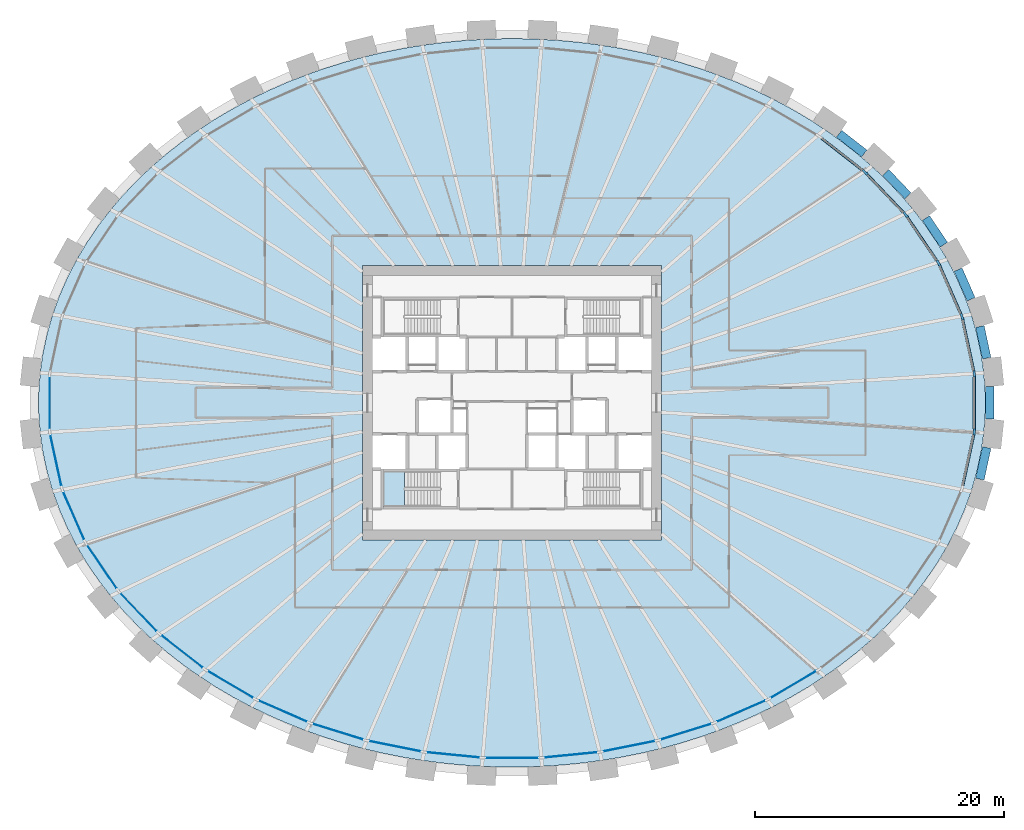
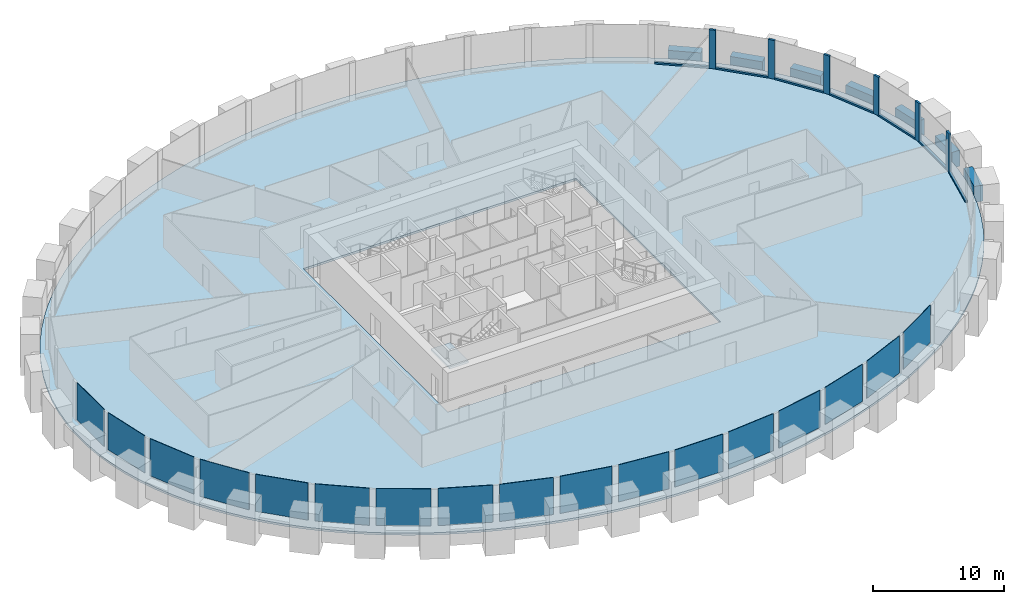
# One storey, part 4 of 11: 17 plates, 13 members, 7 beams, 2 slabs, 2 elements without a shape of their own.
"""IFC4 building model written with IfcOpenShell, lengths in metres."""

import ifcopenshell
import ifcopenshell.guid

model = None  # the IFC model being written
_history = None  # IfcOwnerHistory: only IFC2X3 demands one
_inside = {}  # id of a spatial element -> (the spatial element, [elements in it])
_under = {}  # id of a project, library or spatial element -> (it, [spatial elements below it])
_declared = {}  # id of a project -> (the project, [libraries it declares])
_typed = {}  # id of a type object -> (the type object, [elements of that type])
_made_of = {}  # id of a material, layer set ... -> (it, [elements and type objects made of it])


def new_model(schema):
    """Start an empty IFC model of exactly this schema.

    Asked for "IFC4X3", IfcOpenShell would pick the latest addendum, in which some entities
    have other attributes; the version numbers below select the first issue.
    IFC2X3 requires an IfcOwnerHistory on every rooted entity: one is made here for all.
    """
    global model, _history
    if schema == "IFC4X3":
        model = ifcopenshell.file(schema_version=(4, 3, 0, 0))
    else:
        model = ifcopenshell.file(schema=schema)
    _inside.clear()
    _under.clear()
    _declared.clear()
    _typed.clear()
    _made_of.clear()
    _history = None
    if model.schema == "IFC2X3":
        org = make("IfcOrganization", Name="unknown")
        user = make(
            "IfcPersonAndOrganization",
            ThePerson=make("IfcPerson", FamilyName="unknown"),
            TheOrganization=org,
        )
        app = make(
            "IfcApplication",
            ApplicationDeveloper=org,
            Version="unknown",
            ApplicationFullName="unknown",
            ApplicationIdentifier="unknown",
        )
        _history = make(
            "IfcOwnerHistory",
            OwningUser=user,
            OwningApplication=app,
            ChangeAction="ADDED",
            CreationDate=0,
        )
    return model


def make(cls, **values):
    """One entity of the class cls with the attributes given. An attribute that is None is left unset."""
    return model.create_entity(
        cls, **{name: value for name, value in values.items() if value is not None}
    )


def rooted(cls, **values):
    """An entity with a GlobalId (a new one), such as an element, a storey or a relation."""
    return make(cls, GlobalId=ifcopenshell.guid.new(), OwnerHistory=_history, **values)


def si_unit(unit_type, name, prefix=None):
    """IfcSIUnit, for example si_unit("LENGTHUNIT", "METRE", prefix="MILLI")."""
    return make("IfcSIUnit", UnitType=unit_type, Prefix=prefix, Name=name)


def assignment(units):
    """IfcUnitAssignment: the units of a project."""
    return None if units is None else make("IfcUnitAssignment", Units=units)


def point(xyz):
    """IfcCartesianPoint."""
    return None if xyz is None else make("IfcCartesianPoint", Coordinates=xyz)


def direction(xyz):
    """IfcDirection."""
    return None if xyz is None else make("IfcDirection", DirectionRatios=xyz)


def frame(location, z_axis=None, x_axis=None):
    """IfcAxis2Placement3D, a coordinate frame: its origin and axes. An axis left out is left unset."""
    return make(
        "IfcAxis2Placement3D",
        Location=point(location),
        Axis=direction(z_axis),
        RefDirection=direction(x_axis),
    )


def frame_2d(location, x_axis=None):
    """IfcAxis2Placement2D, a coordinate frame in the plane: its origin and x axis."""
    return make(
        "IfcAxis2Placement2D", Location=point(location), RefDirection=direction(x_axis)
    )


def origin():
    """The frame at (0, 0, 0) with its axes left unset."""
    return frame((0.0, 0.0, 0.0))


def origin_2d():
    """The frame at (0, 0) in the plane with its x axis left unset."""
    return frame_2d((0.0, 0.0))


def place(relative_to, where):
    """IfcLocalPlacement: puts the frame where relative to a parent placement (None: the world)."""
    return make(
        "IfcLocalPlacement", PlacementRelTo=relative_to, RelativePlacement=where
    )


def context(
    kind, dimensions, precision=None, world=None, true_north=None, identifier=None
):
    """IfcGeometricRepresentationContext, for example the 3D "Model" context."""
    return make(
        "IfcGeometricRepresentationContext",
        ContextIdentifier=identifier,
        ContextType=kind,
        CoordinateSpaceDimension=dimensions,
        Precision=precision,
        WorldCoordinateSystem=world,
        TrueNorth=true_north,
    )


def subcontext(parent, identifier, kind, view, scale=None):
    """IfcGeometricRepresentationSubContext, for example "Body" below "Model"."""
    return make(
        "IfcGeometricRepresentationSubContext",
        ContextIdentifier=identifier,
        ContextType=kind,
        ParentContext=parent,
        TargetScale=scale,
        TargetView=view,
    )


def project(units=None, contexts=None):
    """IfcProject with its units and contexts."""
    return rooted(
        "IfcProject",
        Name="project",
        RepresentationContexts=contexts,
        UnitsInContext=assignment(units),
    )


def spatial(cls, under=None, at=None, **own):
    """A site, building, storey or space (cls), placed at a placement, below another one or the project."""
    s = rooted(cls, ObjectPlacement=at, **own)
    if under is not None:
        _under.setdefault(under.id(), (under, []))[1].append(s)
    return s


def polyline(points):
    """IfcPolyline through the points."""
    return make("IfcPolyline", Points=[point(p) for p in points])


def profile(cls, at=None, kind="AREA", **sizes):
    """A parametric profile (cls). Its sizes go by their IFC names, for example OverallWidth=200.0."""
    return make(cls, ProfileType=kind, Position=at, **sizes)


def rectangle(**sizes):
    """IfcRectangleProfileDef."""
    return profile("IfcRectangleProfileDef", **sizes)


def outline(outer, holes=None, kind="AREA"):
    """IfcArbitraryClosedProfileDef: a profile drawn as a closed curve; with holes, ...WithVoids."""
    if holes is None:
        return make("IfcArbitraryClosedProfileDef", ProfileType=kind, OuterCurve=outer)
    return make(
        "IfcArbitraryProfileDefWithVoids",
        ProfileType=kind,
        OuterCurve=outer,
        InnerCurves=holes,
    )


def extrude(swept, where, along, depth):
    """IfcExtrudedAreaSolid: the profile swept, set in the frame where, extruded along a direction by depth."""
    return make(
        "IfcExtrudedAreaSolid",
        SweptArea=swept,
        Position=where,
        ExtrudedDirection=direction(along),
        Depth=depth,
    )


def shape(context_of_items, identifier, shape_type, items):
    """IfcShapeRepresentation: the items that make up one representation, for example the "Body"."""
    return make(
        "IfcShapeRepresentation",
        ContextOfItems=context_of_items,
        RepresentationIdentifier=identifier,
        RepresentationType=shape_type,
        Items=items,
    )


def source(mapping_origin, context_of_items, identifier, shape_type, items):
    """IfcRepresentationMap: a shape defined once, which mapped items show again and again."""
    return make(
        "IfcRepresentationMap",
        MappingOrigin=mapping_origin,
        MappedRepresentation=shape(context_of_items, identifier, shape_type, items),
    )


def transform(
    local_origin,
    x_axis=None,
    y_axis=None,
    z_axis=None,
    scale=None,
    scale2=None,
    scale3=None,
    uniform=True,
):
    """IfcCartesianTransformationOperator3D, or its non-uniform kind. x_axis, y_axis, z_axis: its Axis1, 2, 3."""
    if uniform:
        return make(
            "IfcCartesianTransformationOperator3D",
            Axis1=direction(x_axis),
            Axis2=direction(y_axis),
            LocalOrigin=point(local_origin),
            Scale=scale,
            Axis3=direction(z_axis),
        )
    return make(
        "IfcCartesianTransformationOperator3DnonUniform",
        Axis1=direction(x_axis),
        Axis2=direction(y_axis),
        LocalOrigin=point(local_origin),
        Scale=scale,
        Axis3=direction(z_axis),
        Scale2=scale2,
        Scale3=scale3,
    )


def mapped(mapping_source, mapping_target):
    """IfcMappedItem: shows the shape of a source again, moved by a transform."""
    return make(
        "IfcMappedItem", MappingSource=mapping_source, MappingTarget=mapping_target
    )


def material(Name=None, Category=None):
    """IfcMaterial."""
    return make("IfcMaterial", Name=Name, Category=Category)


def layer(
    of_material, thickness, ventilated=None, Name=None, Category=None, Priority=None
):
    """IfcMaterialLayer: one layer of a wall or slab, of a material (None: an air gap)."""
    return make(
        "IfcMaterialLayer",
        Material=of_material,
        LayerThickness=thickness,
        IsVentilated=ventilated,
        Name=Name,
        Category=Category,
        Priority=Priority,
    )


def layer_set(layers, Name=None):
    """IfcMaterialLayerSet."""
    return make("IfcMaterialLayerSet", MaterialLayers=layers, LayerSetName=Name)


def material_profile(
    of_material, cross_section, Name=None, Category=None, Priority=None
):
    """IfcMaterialProfile: a cross section and its material."""
    return make(
        "IfcMaterialProfile",
        Name=Name,
        Material=of_material,
        Profile=cross_section,
        Priority=Priority,
        Category=Category,
    )


def profile_set(profiles, Name=None, composite=None):
    """IfcMaterialProfileSet."""
    return make(
        "IfcMaterialProfileSet",
        Name=Name,
        MaterialProfiles=profiles,
        CompositeProfile=composite,
    )


def made_of(thing, what):
    """Note that an element or type object is made of a material, layer set ...; save() writes the relation."""
    if what is not None:
        _made_of.setdefault(what.id(), (what, []))[1].append(thing)
    return thing


def type_object(cls, material=None, **own):
    """A type object (cls), such as IfcWallType, which elements share."""
    return made_of(rooted(cls, **own), material)


def element(
    cls,
    number,
    at=None,
    inside=None,
    cuts=None,
    type_object=None,
    material=None,
    context=None,
    identifier="Body",
    shape_type=None,
    held_by="IfcProductDefinitionShape",
    body=None,
    shapes=None,
    **own,
):
    """One element of the class cls, such as IfcWall. Its Tag is "e" and its number.

    at: its placement. inside: the storey or other place that contains it. cuts: it is an
    opening in that element (IfcRelVoidsElement). A single representation is given by context,
    identifier, shape_type and body (its items); several are given by shapes. held_by: the class
    of the entity that holds the representations. save() writes the other relations.
    """
    e = rooted(cls, Tag="e%d" % number, ObjectPlacement=at, **own)
    if body is not None:
        shapes = [shape(context, identifier, shape_type, body)]
    if shapes is not None:
        e.Representation = make(held_by, Representations=shapes)
    if inside is not None:
        _inside.setdefault(inside.id(), (inside, []))[1].append(e)
    if cuts is not None:
        rooted(
            "IfcRelVoidsElement", RelatingBuildingElement=cuts, RelatedOpeningElement=e
        )
    if type_object is not None:
        _typed.setdefault(type_object.id(), (type_object, []))[1].append(e)
    return made_of(e, material)


def aggregate(whole, parts):
    """IfcRelAggregates: a whole, such as a stair, and the parts it consists of."""
    return rooted("IfcRelAggregates", RelatingObject=whole, RelatedObjects=parts)


def save(model, path):
    """Write the relations noted so far, then the file.

    IfcRelAggregates (storeys below a building ...), IfcRelContainedInSpatialStructure (elements
    in a storey), IfcRelDefinesByType, IfcRelAssociatesMaterial and IfcRelDeclares: one each for
    every whole, place, type object, material and project.
    """
    for whole, parts in _under.values():
        aggregate(whole, parts)
    for where, things in _inside.values():
        rooted(
            "IfcRelContainedInSpatialStructure",
            RelatedElements=things,
            RelatingStructure=where,
        )
    for kind, things in _typed.values():
        rooted("IfcRelDefinesByType", RelatedObjects=things, RelatingType=kind)
    for what, things in _made_of.values():
        rooted("IfcRelAssociatesMaterial", RelatedObjects=things, RelatingMaterial=what)
    for by, libraries in _declared.values():
        rooted("IfcRelDeclares", RelatingContext=by, RelatedDefinitions=libraries)
    model.write(path)


model = new_model("IFC4")

# Units and contexts
model_context = context("Model", 3, precision=1e-05, world=origin(), true_north=direction((0.0, 1.0)))
body_context = subcontext(model_context, "Body", "Model", "MODEL_VIEW")
ifc_project = project(units=[si_unit("LENGTHUNIT", "METRE"), si_unit("AREAUNIT", "SQUARE_METRE"), si_unit("VOLUMEUNIT", "CUBIC_METRE"), si_unit("PLANEANGLEUNIT", "RADIAN"), si_unit("MASSUNIT", "GRAM", prefix="KILO")], contexts=[model_context])

# Site, building, storey
site_placement = place(None, origin())
site = spatial("IfcSite", under=ifc_project, at=site_placement, CompositionType="ELEMENT")
building_placement = place(site_placement, origin())
building = spatial("IfcBuilding", under=site, at=building_placement, Name="Embergate Tower", CompositionType="ELEMENT")
storey_placement = place(building_placement, frame((0.0, 0.0, 143.699951171875)))
storey = spatial("IfcBuildingStorey", under=building, at=storey_placement, Name="L31", CompositionType="ELEMENT", Elevation=143.699951171875)

# Beams
ifc_material_1 = material(Name="Concrete C70", Category="concrete")
ifc_material_profile_1 = material_profile(ifc_material_1, rectangle(XDim=0.699951171875, YDim=1.5, at=origin_2d()), Name="RC 700x1500")
ifc_profile_set_1 = profile_set([ifc_material_profile_1], Name="Concrete C70")
beam_type = type_object("IfcBeamType", Name="Spandrel beam RC 700x1500 C70", PredefinedType="BEAM", material=ifc_profile_set_1)
shared_shape_1 = source(origin(), body_context, "Body", "SweptSolid", [
    extrude(rectangle(XDim=0.699951171875, YDim=1.5, at=origin_2d()), origin(), (0.0, 0.0, 1.0), 2.59423828125),
])
for number, where, z_axis, x_axis, name in (
    (1, (38.06103515625, 3.583984375, 0.0), (-0.210518717987, 0.977589826756, 0.0), (-0.977589826756, -0.210518717987, 0.0), "SPN-L31-00"),
    (2, (37.514892578125, -6.1201171875, 0.0), (0.210518717987, 0.977589826756, 0.0), (-0.977589826756, 0.210518717987, 0.0), "SPN-L31-42"),
    (3, (38.303955078125, -1.297119140625, 0.0), (0.0, 1.0, 0.0), (-1.0, 0.0, 0.0), "SPN-L31-43"),
):
    element("IfcBeam", number, at=place(storey_placement, frame(where, z_axis=z_axis, x_axis=x_axis)), inside=storey, type_object=beam_type, Name=name, PredefinedType="BEAM", context=body_context, shape_type="MappedRepresentation", body=[
        mapped(shared_shape_1, transform((0.0, 0.0, 0.0))),
    ])
shared_shape_2 = source(origin(), body_context, "Body", "SweptSolid", [
    extrude(rectangle(XDim=0.699951171875, YDim=1.5, at=origin_2d()), origin(), (0.0, 0.0, 1.0), 2.5888671875),
])
beam_1_placement = place(storey_placement, frame((36.80810546875, 8.30810546875, 0.0), z_axis=(-0.401723931702, 0.915760821775, 0.0), x_axis=(-0.915760821775, -0.401723931702, 0.0)))
element("IfcBeam", 4, at=beam_1_placement, inside=storey, type_object=beam_type, Name="SPN-L31-01", PredefinedType="BEAM", context=body_context, shape_type="MappedRepresentation", body=[
    mapped(shared_shape_2, transform((0.0, 0.0, 0.0))),
])
shared_shape_3 = source(origin(), body_context, "Body", "SweptSolid", [
    extrude(rectangle(XDim=0.699951171875, YDim=1.5, at=origin_2d()), origin(), (0.0, 0.0, 1.0), 2.5791015625),
])
beam_2_placement = place(storey_placement, frame((34.636962890625, 12.680908203125, 0.0), z_axis=(-0.562170202136, 0.82702156189, 0.0), x_axis=(-0.82702156189, -0.562170202136, 0.0)))
element("IfcBeam", 5, at=beam_2_placement, inside=storey, type_object=beam_type, Name="SPN-L31-02", PredefinedType="BEAM", context=body_context, shape_type="MappedRepresentation", body=[
    mapped(shared_shape_3, transform((0.0, 0.0, 0.0))),
])
shared_shape_4 = source(origin(), body_context, "Body", "SweptSolid", [
    extrude(rectangle(XDim=0.699951171875, YDim=1.5, at=origin_2d()), origin(), (0.0, 0.0, 1.0), 2.574462890625),
])
beam_3_placement = place(storey_placement, frame((31.740966796875, 16.60302734375, 0.0), z_axis=(-0.690171205001, 0.72364612055, 0.0), x_axis=(-0.72364612055, -0.690171205001, 0.0)))
element("IfcBeam", 6, at=beam_3_placement, inside=storey, type_object=beam_type, Name="SPN-L31-03", PredefinedType="BEAM", context=body_context, shape_type="MappedRepresentation", body=[
    mapped(shared_shape_4, transform((0.0, 0.0, 0.0))),
])
shared_shape_5 = source(origin(), body_context, "Body", "SweptSolid", [
    extrude(rectangle(XDim=0.699951171875, YDim=1.5, at=origin_2d()), origin(), (0.0, 0.0, 1.0), 2.56689453125),
])
beam_4_placement = place(storey_placement, frame((28.24609375, 19.9951171875, 0.0), z_axis=(-0.788172869351, 0.615453920305, 0.0), x_axis=(-0.615453920305, -0.788172869351, 0.0)))
element("IfcBeam", 7, at=beam_4_placement, inside=storey, type_object=beam_type, Name="SPN-L31-04", PredefinedType="BEAM", context=body_context, shape_type="MappedRepresentation", body=[
    mapped(shared_shape_5, transform((0.0, 0.0, 0.0))),
])

# Curtain wall, members
ifc_material_2 = material(Name="Aluminium and glass", Category="aluminium")
curtain_wall_type = type_object("IfcCurtainWallType", Name="Recessed office glazing", PredefinedType="NOTDEFINED", material=ifc_material_2)
curtain_wall_placement = place(storey_placement, origin())
curtain_wall = element("IfcCurtainWall", 8, at=curtain_wall_placement, inside=storey, type_object=curtain_wall_type, Name="Recessed office glazing ring", ObjectType="RECESSED OFFICE GLAZING", PredefinedType="USERDEFINED")
ifc_material_3 = material(Name="Aluminium, thermally broken", Category="aluminium")
ifc_material_profile_2 = material_profile(ifc_material_3, rectangle(XDim=0.179931640625, YDim=0.52001953125, at=origin_2d()), Name="AL 520x180")
ifc_profile_set_2 = profile_set([ifc_material_profile_2], Name="Aluminium, thermally broken")
member_type_1 = type_object("IfcMemberType", Name="Office mullion", PredefinedType="MULLION", material=ifc_profile_set_2)
shared_shape_6 = source(origin(), body_context, "Body", "SweptSolid", [
    extrude(rectangle(XDim=0.179931640625, YDim=0.52001953125, at=origin_2d()), origin(), (0.0, 0.0, 1.0), 3.60009765625),
])
member_1_placement = place(storey_placement, frame((37.064697265625, 2.33740234375, 0.0), z_axis=(0.0, 0.0, 1.0), x_axis=(-0.994384770038, -0.105824992874, 0.0)))
member_1 = element("IfcMember", 9, at=member_1_placement, type_object=member_type_1, Name="CW mullion 1", PredefinedType="MULLION", context=body_context, shape_type="MappedRepresentation", body=[
    mapped(shared_shape_6, transform((0.0, 0.0, 0.0))),
])
member_2_placement = place(storey_placement, frame((36.08056640625, 6.910400390625, 0.0), z_axis=(0.0, 0.0, 1.0), x_axis=(-0.951496187099, -0.307660536853, 0.0)))
member_2 = element("IfcMember", 10, at=member_2_placement, type_object=member_type_1, Name="CW mullion 2", PredefinedType="MULLION", context=body_context, shape_type="MappedRepresentation", body=[
    mapped(shared_shape_6, transform((0.0, 0.0, 0.0))),
])
member_3_placement = place(storey_placement, frame((34.198974609375, 11.200439453125, 0.0), z_axis=(0.0, 0.0, 1.0), x_axis=(-0.874998516019, -0.484125600402, 0.0)))
member_3 = element("IfcMember", 11, at=member_3_placement, type_object=member_type_1, Name="CW mullion 3", PredefinedType="MULLION", context=body_context, shape_type="MappedRepresentation", body=[
    mapped(shared_shape_6, transform((0.0, 0.0, 0.0))),
])
member_4_placement = place(storey_placement, frame((31.5595703125, 15.08154296875, 0.0), z_axis=(0.0, 0.0, 1.0), x_axis=(-0.777867080309, -0.62842883875, 0.0)))
member_4 = element("IfcMember", 12, at=member_4_placement, type_object=member_type_1, Name="CW mullion 4", PredefinedType="MULLION", context=body_context, shape_type="MappedRepresentation", body=[
    mapped(shared_shape_6, transform((0.0, 0.0, 0.0))),
])
member_5_placement = place(storey_placement, frame((28.314453125, 18.484375, 0.0), z_axis=(0.0, 0.0, 1.0), x_axis=(-0.671220065284, -0.741258135847, 0.0)))
member_5 = element("IfcMember", 13, at=member_5_placement, type_object=member_type_1, Name="CW mullion 5", PredefinedType="MULLION", context=body_context, shape_type="MappedRepresentation", body=[
    mapped(shared_shape_6, transform((0.0, 0.0, 0.0))),
])
member_6_placement = place(storey_placement, frame((37.064697265625, -2.33740234375, 0.0), z_axis=(0.0, 0.0, 1.0), x_axis=(-0.994384770038, 0.105824992874, 0.0)))
member_6 = element("IfcMember", 14, at=member_6_placement, type_object=member_type_1, Name="CW mullion 44", PredefinedType="MULLION", context=body_context, shape_type="MappedRepresentation", body=[
    mapped(shared_shape_6, transform((0.0, 0.0, 0.0))),
])
ifc_material_profile_3 = material_profile(ifc_material_3, rectangle(XDim=0.179931640625, YDim=0.14990234375, at=origin_2d()), Name="AL 150x180")
ifc_profile_set_3 = profile_set([ifc_material_profile_3], Name="Aluminium, thermally broken")
member_type_2 = type_object("IfcMemberType", Name="Office sill transom", PredefinedType="USERDEFINED", material=ifc_profile_set_3)
shared_shape_7 = source(origin(), body_context, "Body", "SweptSolid", [
    extrude(rectangle(XDim=0.179931640625, YDim=0.14990234375, at=origin_2d()), origin(), (0.0, 0.0, 1.0), 4.157470703125),
])
member_7_placement = place(storey_placement, frame((37.010009765625, 2.591796875, 0.074951171875), z_axis=(-0.210403256342, 0.977614683667, 0.0), x_axis=(-0.977614683667, -0.210403256342, 0.0)))
member_7 = element("IfcMember", 15, at=member_7_placement, type_object=member_type_2, Name="CW transom 1.1", ObjectType="TRANSOM", PredefinedType="USERDEFINED", context=body_context, shape_type="MappedRepresentation", body=[
    mapped(shared_shape_7, transform((0.0, 0.0, 0.0))),
])
member_8_placement = place(storey_placement, frame((36.13525390625, -6.65625, 0.074951171875), z_axis=(0.210403256342, 0.977614683667, 0.0), x_axis=(-0.977614683667, 0.210403256342, 0.0)))
member_8 = element("IfcMember", 16, at=member_8_placement, type_object=member_type_2, Name="CW transom 43.1", ObjectType="TRANSOM", PredefinedType="USERDEFINED", context=body_context, shape_type="MappedRepresentation", body=[
    mapped(shared_shape_7, transform((0.0, 0.0, 0.0))),
])
shared_shape_8 = source(origin(), body_context, "Body", "SweptSolid", [
    extrude(rectangle(XDim=0.179931640625, YDim=0.14990234375, at=origin_2d()), origin(), (0.0, 0.0, 1.0), 4.16455078125),
])
member_9_placement = place(storey_placement, frame((35.97607421875, 7.1484375, 0.074951171875), z_axis=(-0.401624405354, 0.915804475324, 0.0), x_axis=(-0.915804475324, -0.401624405354, 0.0)))
member_9 = element("IfcMember", 17, at=member_9_placement, type_object=member_type_2, Name="CW transom 2.1", ObjectType="TRANSOM", PredefinedType="USERDEFINED", context=body_context, shape_type="MappedRepresentation", body=[
    mapped(shared_shape_8, transform((0.0, 0.0, 0.0))),
])
shared_shape_9 = source(origin(), body_context, "Body", "SweptSolid", [
    extrude(rectangle(XDim=0.179931640625, YDim=0.14990234375, at=origin_2d()), origin(), (0.0, 0.0, 1.0), 4.173583984375),
])
member_10_placement = place(storey_placement, frame((34.052734375, 11.41552734375, 0.074951171875), z_axis=(-0.562330821554, 0.826912357587, 0.0), x_axis=(-0.826912357587, -0.562330821554, 0.0)))
member_10 = element("IfcMember", 18, at=member_10_placement, type_object=member_type_2, Name="CW transom 3.1", ObjectType="TRANSOM", PredefinedType="USERDEFINED", context=body_context, shape_type="MappedRepresentation", body=[
    mapped(shared_shape_9, transform((0.0, 0.0, 0.0))),
])
shared_shape_10 = source(origin(), body_context, "Body", "SweptSolid", [
    extrude(rectangle(XDim=0.179931640625, YDim=0.14990234375, at=origin_2d()), origin(), (0.0, 0.0, 1.0), 4.18212890625),
])
member_11_placement = place(storey_placement, frame((31.380126953125, 15.269775390625, 0.074951171875), z_axis=(-0.69012439783, 0.723690759592, 0.0), x_axis=(-0.723690759592, -0.69012439783, 0.0)))
member_11 = element("IfcMember", 19, at=member_11_placement, type_object=member_type_2, Name="CW transom 4.1", ObjectType="TRANSOM", PredefinedType="USERDEFINED", context=body_context, shape_type="MappedRepresentation", body=[
    mapped(shared_shape_10, transform((0.0, 0.0, 0.0))),
])
shared_shape_11 = source(origin(), body_context, "Body", "SweptSolid", [
    extrude(rectangle(XDim=0.179931640625, YDim=0.14990234375, at=origin_2d()), origin(), (0.0, 0.0, 1.0), 4.189697265625),
])
member_12_placement = place(storey_placement, frame((28.109375, 18.644287109375, 0.074951171875), z_axis=(-0.788299928143, 0.61529116952, 0.0), x_axis=(-0.61529116952, -0.788299928143, 0.0)))
member_12 = element("IfcMember", 20, at=member_12_placement, type_object=member_type_2, Name="CW transom 5.1", ObjectType="TRANSOM", PredefinedType="USERDEFINED", context=body_context, shape_type="MappedRepresentation", body=[
    mapped(shared_shape_11, transform((0.0, 0.0, 0.0))),
])
shared_shape_12 = source(origin(), body_context, "Body", "SweptSolid", [
    extrude(rectangle(XDim=0.179931640625, YDim=0.14990234375, at=origin_2d()), origin(), (0.0, 0.0, 1.0), 4.15478515625),
])
member_13_placement = place(storey_placement, frame((37.064697265625, -2.077392578125, 0.074951171875), z_axis=(0.0, 1.0, 0.0), x_axis=(-1.0, 0.0, 0.0)))
member_13 = element("IfcMember", 21, at=member_13_placement, type_object=member_type_2, Name="CW transom 44.1", ObjectType="TRANSOM", PredefinedType="USERDEFINED", context=body_context, shape_type="MappedRepresentation", body=[
    mapped(shared_shape_12, transform((0.0, 0.0, 0.0))),
])

# Slab
ifc_material_4 = material(Name="Concrete C40", Category="concrete")
ifc_layer_1 = layer(ifc_material_4, 0.199951171875)
ifc_layer_set_1 = layer_set([ifc_layer_1], Name="Concrete C40")
slab_type_1 = type_object("IfcSlabType", Name="Composite floor slab C40 200", PredefinedType="FLOOR", material=ifc_layer_set_1)
shared_shape_13 = source(origin(), body_context, "Body", "SweptSolid", [
    extrude(outline(polyline([(0.0, 0.0), (1.60595703125, 0.0), (3.2099609375, 0.052001953125), (4.81494140625, 0.156982421875), (6.4130859375, 0.31396484375), (8.0009765625, 0.52294921875), (9.591064453125, 0.7861328125), (11.166015625, 1.10205078125), (12.720947265625, 1.468994140625), (14.280029296875, 1.89501953125), (15.81201171875, 2.3720703125), (17.31689453125, 2.901123046875), (18.823974609375, 3.4931640625), (20.294921875, 4.135986328125), (21.72705078125, 4.8291015625), (23.157958984375, 5.593017578125), (24.5419921875, 6.406982421875), (25.8759765625, 7.26806640625), (27.200927734375, 8.208984375), (28.467041015625, 9.196044921875), (29.669921875, 10.22900390625), (30.85009765625, 11.34716796875), (31.9580078125, 12.509033203125), (32.989990234375, 13.711181640625), (33.97900390625, 15.0009765625), (34.882080078125, 16.328125), (35.695068359375, 17.68798828125), (36.43896484375, 19.129150390625), (37.083984375, 20.59814453125), (37.6259765625, 22.092041015625), (38.073974609375, 23.64404296875), (38.410888671875, 25.212158203125), (38.636962890625, 26.7919921875), (38.751953125, 28.39306640625), (38.751953125, 29.9970703125), (38.636962890625, 31.59814453125), (38.410888671875, 33.177978515625), (38.073974609375, 34.74609375), (37.6259765625, 36.298095703125), (37.083984375, 37.7919921875), (36.43896484375, 39.260986328125), (35.695068359375, 40.7021484375), (34.882080078125, 42.06201171875), (33.97900390625, 43.38916015625), (32.989990234375, 44.678955078125), (31.9580078125, 45.881103515625), (30.85009765625, 47.04296875), (29.669921875, 48.1611328125), (28.467041015625, 49.194091796875), (27.200927734375, 50.18115234375), (25.8759765625, 51.1220703125), (24.5419921875, 51.983154296875), (23.157958984375, 52.797119140625), (21.72705078125, 53.56103515625), (20.294921875, 54.254150390625), (18.823974609375, 54.89697265625), (17.31689453125, 55.489013671875), (15.81201171875, 56.01806640625), (14.280029296875, 56.4951171875), (12.720947265625, 56.921142578125), (11.166015625, 57.2880859375), (9.591064453125, 57.60400390625), (8.0009765625, 57.8671875), (6.4130859375, 58.076171875), (4.81494140625, 58.233154296875), (3.2099609375, 58.338134765625), (1.60595703125, 58.39013671875), (0.0, 58.39013671875), (-1.60400390625, 58.338134765625), (-3.208984375, 58.233154296875), (-4.80712890625, 58.076171875), (-6.39501953125, 57.8671875), (-7.985107421875, 57.60400390625), (-9.56005859375, 57.2880859375), (-11.114990234375, 56.921142578125), (-12.674072265625, 56.4951171875), (-14.2060546875, 56.01806640625), (-15.7109375, 55.489013671875), (-17.218017578125, 54.89697265625), (-18.68896484375, 54.254150390625), (-20.12109375, 53.56103515625), (-21.552001953125, 52.797119140625), (-22.93603515625, 51.983154296875), (-24.27001953125, 51.1220703125), (-25.594970703125, 50.18115234375), (-26.861083984375, 49.194091796875), (-28.06396484375, 48.1611328125), (-29.244140625, 47.04296875), (-30.35205078125, 45.881103515625), (-31.384033203125, 44.678955078125), (-32.373046875, 43.38916015625), (-33.276123046875, 42.06201171875), (-34.089111328125, 40.7021484375), (-34.8330078125, 39.260986328125), (-35.47802734375, 37.7919921875), (-36.02001953125, 36.298095703125), (-36.468017578125, 34.74609375), (-36.804931640625, 33.177978515625), (-37.031005859375, 31.59814453125), (-37.14599609375, 29.9970703125), (-37.14599609375, 28.39306640625), (-37.031005859375, 26.7919921875), (-36.804931640625, 25.212158203125), (-36.468017578125, 23.64404296875), (-36.02001953125, 22.092041015625), (-35.47802734375, 20.59814453125), (-34.8330078125, 19.129150390625), (-34.089111328125, 17.68798828125), (-33.276123046875, 16.328125), (-32.373046875, 15.0009765625), (-31.384033203125, 13.711181640625), (-30.35205078125, 12.509033203125), (-29.244140625, 11.34716796875), (-28.06396484375, 10.22900390625), (-26.861083984375, 9.196044921875), (-25.594970703125, 8.208984375), (-24.27001953125, 7.26806640625), (-22.93603515625, 6.406982421875), (-21.552001953125, 5.593017578125), (-20.12109375, 4.8291015625), (-18.68896484375, 4.135986328125), (-17.218017578125, 3.4931640625), (-15.7109375, 2.901123046875), (-14.2060546875, 2.3720703125), (-12.674072265625, 1.89501953125), (-11.114990234375, 1.468994140625), (-9.56005859375, 1.10205078125), (-7.985107421875, 0.7861328125), (-6.39501953125, 0.52294921875), (-4.80712890625, 0.31396484375), (-3.208984375, 0.156982421875), (-1.60400390625, 0.052001953125), (0.0, 0.0)]), holes=[polyline([(-11.197021484375, 18.195068359375), (-11.197021484375, 40.195068359375), (12.802978515625, 40.195068359375), (12.802978515625, 18.195068359375), (-11.197021484375, 18.195068359375)])]), origin(), (0.0, 0.0, 1.0), 0.199951171875),
])
slab_1_placement = place(storey_placement, frame((-0.802978515625, -29.195068359375, -0.199951171875)))
element("IfcSlab", 22, at=slab_1_placement, inside=storey, type_object=slab_type_1, Name="SLB-L31-00", PredefinedType="FLOOR", context=body_context, shape_type="MappedRepresentation", body=[
    mapped(shared_shape_13, transform((0.0, 0.0, 0.0))),
])

# Plate
ifc_material_5 = material(Name="Triple glazing, low-emissivity coating", Category="glass")
ifc_layer_2 = layer(ifc_material_5, 0.035888671875)
ifc_layer_set_2 = layer_set([ifc_layer_2], Name="Triple glazing, low-emissivity coating")
plate_type = type_object("IfcPlateType", Name="Office glazing unit", PredefinedType="CURTAIN_PANEL", material=ifc_layer_set_2)
shared_shape_14 = source(origin(), body_context, "Body", "SweptSolid", [
    extrude(rectangle(XDim=4.15771484375, YDim=0.035888671875, at=origin_2d()), origin(), (0.0, 0.0, 1.0), 3.449951171875),
])
plate_1_placement = place(storey_placement, frame((-36.572509765625, -4.623779296875, 0.14990234375), z_axis=(0.0, 0.0, 1.0), x_axis=(0.210401803698, -0.977614996305, 0.0)))
plate_1 = element("IfcPlate", 23, at=plate_1_placement, type_object=plate_type, Name="CW panel 23.1", PredefinedType="CURTAIN_PANEL", context=body_context, shape_type="MappedRepresentation", body=[
    mapped(shared_shape_14, transform((0.0, 0.0, 0.0))),
])

shared_shape_15 = source(origin(), body_context, "Body", "SweptSolid", [
    extrude(rectangle(XDim=4.16455078125, YDim=0.035888671875, at=origin_2d()), origin(), (0.0, 0.0, 1.0), 3.449951171875),
])
plate_2_placement = place(storey_placement, frame((-35.1396484375, -9.055419921875, 0.14990234375), z_axis=(0.0, 0.0, 1.0), x_axis=(0.401660092938, -0.91578882377, 0.0)))
plate_2 = element("IfcPlate", 24, at=plate_2_placement, type_object=plate_type, Name="CW panel 24.1", PredefinedType="CURTAIN_PANEL", context=body_context, shape_type="MappedRepresentation", body=[
    mapped(shared_shape_15, transform((0.0, 0.0, 0.0))),
])

shared_shape_16 = source(origin(), body_context, "Body", "SweptSolid", [
    extrude(rectangle(XDim=4.173583984375, YDim=0.035888671875, at=origin_2d()), origin(), (0.0, 0.0, 1.0), 3.449951171875),
])
plate_3_placement = place(storey_placement, frame((-32.879150390625, -13.14111328125, 0.14990234375), z_axis=(0.0, 0.0, 1.0), x_axis=(0.562350401213, -0.82689904236, 0.0)))
plate_3 = element("IfcPlate", 25, at=plate_3_placement, type_object=plate_type, Name="CW panel 25.1", PredefinedType="CURTAIN_PANEL", context=body_context, shape_type="MappedRepresentation", body=[
    mapped(shared_shape_16, transform((0.0, 0.0, 0.0))),
])

shared_shape_17 = source(origin(), body_context, "Body", "SweptSolid", [
    extrude(rectangle(XDim=4.18212890625, YDim=0.035888671875, at=origin_2d()), origin(), (0.0, 0.0, 1.0), 3.449951171875),
])
plate_4_placement = place(storey_placement, frame((-29.93701171875, -16.782958984375, 0.14990234375), z_axis=(0.0, 0.0, 1.0), x_axis=(0.690142625854, -0.723673376586, 0.0)))
plate_4 = element("IfcPlate", 26, at=plate_4_placement, type_object=plate_type, Name="CW panel 26.1", PredefinedType="CURTAIN_PANEL", context=body_context, shape_type="MappedRepresentation", body=[
    mapped(shared_shape_17, transform((0.0, 0.0, 0.0))),
])

shared_shape_18 = source(origin(), body_context, "Body", "SweptSolid", [
    extrude(rectangle(XDim=4.189697265625, YDim=0.035888671875, at=origin_2d()), origin(), (0.0, 0.0, 1.0), 3.449951171875),
])
plate_5_placement = place(storey_placement, frame((-26.4580078125, -19.933349609375, 0.14990234375), z_axis=(0.0, 0.0, 1.0), x_axis=(0.788326562254, -0.615257044855, 0.0)))
plate_5 = element("IfcPlate", 27, at=plate_5_placement, type_object=plate_type, Name="CW panel 27.1", PredefinedType="CURTAIN_PANEL", context=body_context, shape_type="MappedRepresentation", body=[
    mapped(shared_shape_18, transform((0.0, 0.0, 0.0))),
])

shared_shape_19 = source(origin(), body_context, "Body", "SweptSolid", [
    extrude(rectangle(XDim=4.19580078125, YDim=0.035888671875, at=origin_2d()), origin(), (0.0, 0.0, 1.0), 3.449951171875),
])
plate_6_placement = place(storey_placement, frame((-22.569091796875, -22.5771484375, 0.14990234375), z_axis=(0.0, 0.0, 1.0), x_axis=(0.862057590599, -0.506810329898, 0.0)))
plate_6 = element("IfcPlate", 28, at=plate_6_placement, type_object=plate_type, Name="CW panel 28.1", PredefinedType="CURTAIN_PANEL", context=body_context, shape_type="MappedRepresentation", body=[
    mapped(shared_shape_19, transform((0.0, 0.0, 0.0))),
])

plate_7_placement = place(storey_placement, frame((22.569091796875, -22.5771484375, 0.14990234375), z_axis=(0.0, 0.0, 1.0), x_axis=(0.862057590599, 0.506810329898, 0.0)))
plate_7 = element("IfcPlate", 29, at=plate_7_placement, type_object=plate_type, Name="CW panel 38.1", PredefinedType="CURTAIN_PANEL", context=body_context, shape_type="MappedRepresentation", body=[
    mapped(shared_shape_19, transform((0.0, 0.0, 0.0))),
])

shared_shape_20 = source(origin(), body_context, "Body", "SweptSolid", [
    extrude(rectangle(XDim=4.2001953125, YDim=0.035888671875, at=origin_2d()), origin(), (0.0, 0.0, 1.0), 3.449951171875),
])
plate_8_placement = place(storey_placement, frame((-18.3740234375, -24.717529296875, 0.14990234375), z_axis=(0.0, 0.0, 1.0), x_axis=(0.916239008703, -0.400632099227, 0.0)))
plate_8 = element("IfcPlate", 30, at=plate_8_placement, type_object=plate_type, Name="CW panel 29.1", PredefinedType="CURTAIN_PANEL", context=body_context, shape_type="MappedRepresentation", body=[
    mapped(shared_shape_20, transform((0.0, 0.0, 0.0))),
])

plate_9_placement = place(storey_placement, frame((18.3740234375, -24.717529296875, 0.14990234375), z_axis=(0.0, 0.0, 1.0), x_axis=(0.916239008703, 0.400632099227, 0.0)))
plate_9 = element("IfcPlate", 31, at=plate_9_placement, type_object=plate_type, Name="CW panel 37.1", PredefinedType="CURTAIN_PANEL", context=body_context, shape_type="MappedRepresentation", body=[
    mapped(shared_shape_20, transform((0.0, 0.0, 0.0))),
])

shared_shape_21 = source(origin(), body_context, "Body", "SweptSolid", [
    extrude(rectangle(XDim=4.20361328125, YDim=0.035888671875, at=origin_2d()), origin(), (0.0, 0.0, 1.0), 3.449951171875),
])
plate_10_placement = place(storey_placement, frame((-13.95654296875, -26.365478515625, 0.14990234375), z_axis=(0.0, 0.0, 1.0), x_axis=(0.954773774021, -0.297333214496, 0.0)))
plate_10 = element("IfcPlate", 32, at=plate_10_placement, type_object=plate_type, Name="CW panel 30.1", PredefinedType="CURTAIN_PANEL", context=body_context, shape_type="MappedRepresentation", body=[
    mapped(shared_shape_21, transform((0.0, 0.0, 0.0))),
])

plate_11_placement = place(storey_placement, frame((13.95654296875, -26.365478515625, 0.14990234375), z_axis=(0.0, 0.0, 1.0), x_axis=(0.954773774021, 0.297333214496, 0.0)))
plate_11 = element("IfcPlate", 33, at=plate_11_placement, type_object=plate_type, Name="CW panel 36.1", PredefinedType="CURTAIN_PANEL", context=body_context, shape_type="MappedRepresentation", body=[
    mapped(shared_shape_21, transform((0.0, 0.0, 0.0))),
])

shared_shape_22 = source(origin(), body_context, "Body", "SweptSolid", [
    extrude(rectangle(XDim=4.205810546875, YDim=0.035888671875, at=origin_2d()), origin(), (0.0, 0.0, 1.0), 3.449951171875),
])
plate_12_placement = place(storey_placement, frame((-9.384765625, -27.5322265625, 0.14990234375), z_axis=(0.0, 0.0, 1.0), x_axis=(0.980476593804, -0.196635828382, 0.0)))
plate_12 = element("IfcPlate", 34, at=plate_12_placement, type_object=plate_type, Name="CW panel 31.1", PredefinedType="CURTAIN_PANEL", context=body_context, shape_type="MappedRepresentation", body=[
    mapped(shared_shape_22, transform((0.0, 0.0, 0.0))),
])

plate_13_placement = place(storey_placement, frame((9.384765625, -27.5322265625, 0.14990234375), z_axis=(0.0, 0.0, 1.0), x_axis=(0.980476593804, 0.196635828382, 0.0)))
plate_13 = element("IfcPlate", 35, at=plate_13_placement, type_object=plate_type, Name="CW panel 35.1", PredefinedType="CURTAIN_PANEL", context=body_context, shape_type="MappedRepresentation", body=[
    mapped(shared_shape_22, transform((0.0, 0.0, 0.0))),
])

shared_shape_23 = source(origin(), body_context, "Body", "SweptSolid", [
    extrude(rectangle(XDim=4.20703125, YDim=0.035888671875, at=origin_2d()), origin(), (0.0, 0.0, 1.0), 3.449951171875),
])
plate_14_placement = place(storey_placement, frame((-4.7158203125, -28.22802734375, 0.14990234375), z_axis=(0.0, 0.0, 1.0), x_axis=(0.995203355531, -0.09782781373, 0.0)))
plate_14 = element("IfcPlate", 36, at=plate_14_placement, type_object=plate_type, Name="CW panel 32.1", PredefinedType="CURTAIN_PANEL", context=body_context, shape_type="MappedRepresentation", body=[
    mapped(shared_shape_23, transform((0.0, 0.0, 0.0))),
])

plate_15_placement = place(storey_placement, frame((4.7158203125, -28.22802734375, 0.14990234375), z_axis=(0.0, 0.0, 1.0), x_axis=(0.995203355531, 0.09782781373, 0.0)))
plate_15 = element("IfcPlate", 37, at=plate_15_placement, type_object=plate_type, Name="CW panel 34.1", PredefinedType="CURTAIN_PANEL", context=body_context, shape_type="MappedRepresentation", body=[
    mapped(shared_shape_23, transform((0.0, 0.0, 0.0))),
])

shared_shape_24 = source(origin(), body_context, "Body", "SweptSolid", [
    extrude(rectangle(XDim=4.20751953125, YDim=0.035888671875, at=origin_2d()), origin(), (0.0, 0.0, 1.0), 3.449951171875),
])
plate_16_placement = place(storey_placement, frame((0.0, -28.459228515625, 0.14990234375), z_axis=(0.0, 0.0, 1.0), x_axis=(1.0, 0.0, 0.0)))
plate_16 = element("IfcPlate", 38, at=plate_16_placement, type_object=plate_type, Name="CW panel 33.1", PredefinedType="CURTAIN_PANEL", context=body_context, shape_type="MappedRepresentation", body=[
    mapped(shared_shape_24, transform((0.0, 0.0, 0.0))),
])

shared_shape_25 = source(origin(), body_context, "Body", "SweptSolid", [
    extrude(rectangle(XDim=4.15478515625, YDim=0.035888671875, at=origin_2d()), origin(), (0.0, 0.0, 1.0), 3.449951171875),
])
plate_17_placement = place(storey_placement, frame((-37.064697265625, 0.0, 0.14990234375), z_axis=(0.0, 0.0, 1.0), x_axis=(0.0, -1.0, 0.0)))
plate_17 = element("IfcPlate", 39, at=plate_17_placement, type_object=plate_type, Name="CW panel 22.1", PredefinedType="CURTAIN_PANEL", context=body_context, shape_type="MappedRepresentation", body=[
    mapped(shared_shape_25, transform((0.0, 0.0, 0.0))),
])

aggregate(curtain_wall, [member_1, member_2, member_3, member_4, member_5, member_6, member_7, member_9, member_10, member_11, member_12, plate_17, plate_1, plate_2, plate_3, plate_4, plate_5, plate_6, plate_8, plate_10, plate_12, plate_14, plate_16, plate_15, plate_13, plate_11, plate_9, plate_7, member_8, member_13])

# Stair, slab
ifc_material_6 = material(Name="Exit stair")
stair_type = type_object("IfcStairType", Name="Exit stair", PredefinedType="HALF_TURN_STAIR", material=ifc_material_6)
stair_placement = place(storey_placement, origin())
stair = element("IfcStair", 40, at=stair_placement, inside=storey, type_object=stair_type, Name="L31 Exit stair 3", PredefinedType="HALF_TURN_STAIR")
ifc_layer_3 = layer(ifc_material_4, 0.199951171875)
ifc_layer_set_3 = layer_set([ifc_layer_3], Name="Concrete C40")
slab_type_2 = type_object("IfcSlabType", Name="Stair landing reinforced concrete", PredefinedType="LANDING", material=ifc_layer_set_3)
shared_shape_26 = source(origin(), body_context, "Body", "SweptSolid", [
    extrude(outline(polyline([(0.0, 0.0), (1.68994140625, 0.0), (1.68994140625, 2.800048828125), (0.0, 2.800048828125), (0.0, 0.0)])), origin(), (0.0, 0.0, 1.0), 0.199951171875),
])
slab_2_placement = place(storey_placement, frame((-10.300048828125, -8.300048828125, 1.75)))
slab_2 = element("IfcSlab", 41, at=slab_2_placement, type_object=slab_type_2, Name="ST3 landing 1", PredefinedType="LANDING", context=body_context, shape_type="MappedRepresentation", body=[
    mapped(shared_shape_26, transform((0.0, 0.0, 0.0))),
])
aggregate(stair, [slab_2])

save(model, "model.ifc")
